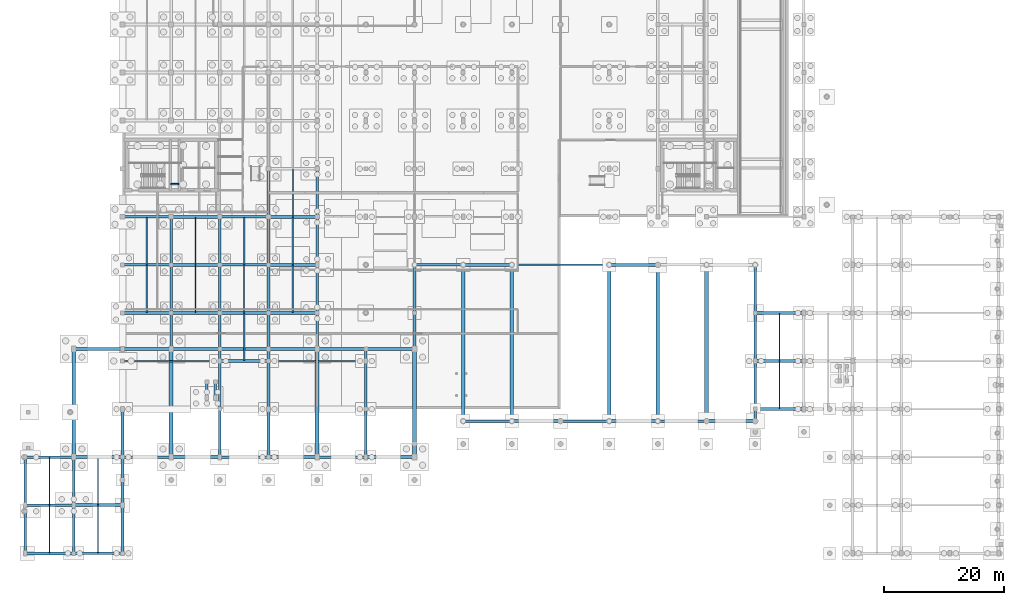
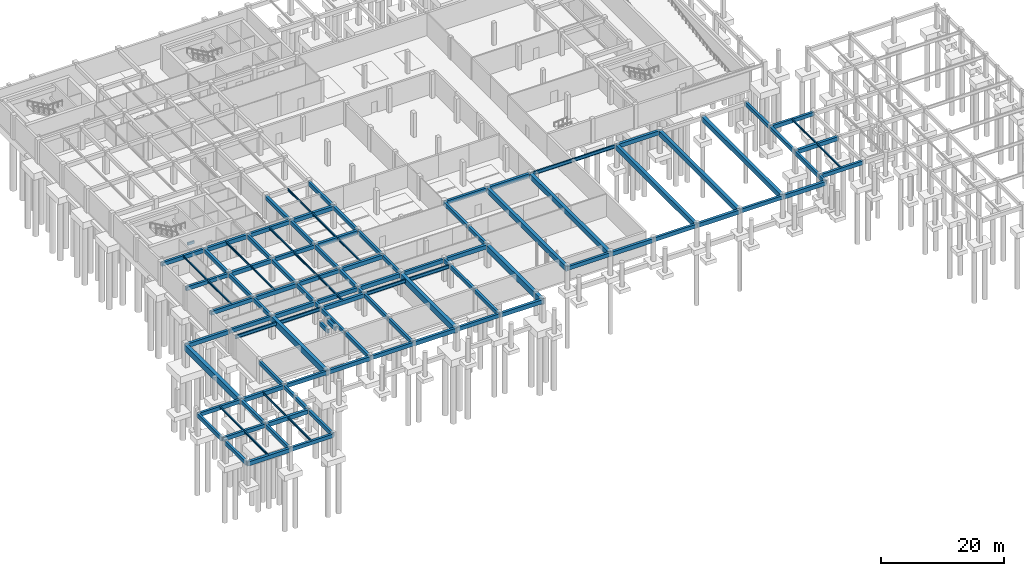
# One storey, part 11 of 25: 111 beams.
"""IFC4 building model written with IfcOpenShell, lengths in metres."""

from ifc_helpers import new_model, si_unit, direction, frame, origin, origin_2d, place, context, subcontext, project, spatial, rectangle, i_section, extrude, material, material_profile, profile_set, type_object, element, save


model = new_model("IFC4")

# Units and contexts
model_context = context("Model", 3, precision=1e-05, world=origin(), true_north=direction((0.0, 1.0)))
body_context = subcontext(model_context, "Body", "Model", "MODEL_VIEW")
ifc_project = project(units=[si_unit("LENGTHUNIT", "METRE"), si_unit("AREAUNIT", "SQUARE_METRE"), si_unit("VOLUMEUNIT", "CUBIC_METRE"), si_unit("PLANEANGLEUNIT", "RADIAN"), si_unit("MASSUNIT", "GRAM", prefix="KILO")], contexts=[model_context])

# Site, building, storey
site_placement = place(None, origin())
site = spatial("IfcSite", under=ifc_project, at=site_placement, CompositionType="ELEMENT")
building_placement = place(site_placement, origin())
building = spatial("IfcBuilding", under=site, at=building_placement, Name="Tarnveldt Square Police Headquarters", CompositionType="ELEMENT")
storey_placement = place(building_placement, frame((0.0, 0.0, -4.800048828125)))
storey = spatial("IfcBuildingStorey", under=building, at=storey_placement, Name="B1", CompositionType="ELEMENT", Elevation=-4.800048828125)

# Beams
ifc_material_1 = material(Name="Concrete 40 MPa", Category="concrete")
ifc_material_profile_1 = material_profile(ifc_material_1, rectangle(XDim=0.300048828125, YDim=0.5, at=origin_2d()), Name="RC-B300x500")
ifc_profile_set_1 = profile_set([ifc_material_profile_1], Name="Concrete 40 MPa")
beam_type_1 = type_object("IfcBeamType", Name="BM-RC300x500", PredefinedType="BEAM", material=ifc_profile_set_1)
beam_1_placement = place(storey_placement, frame((24.25, 61.449951171875, 1.949951171875), z_axis=(1.0, 0.0, 0.0), x_axis=(0.0, 1.0, 0.0)))
element("IfcBeam", 1, at=beam_1_placement, inside=storey, type_object=beam_type_1, Name="ST1 B1 Half-Landing Support Beam 2", PredefinedType="BEAM", context=body_context, shape_type="SweptSolid", body=[
    extrude(rectangle(XDim=0.300048828125, YDim=0.5, at=origin_2d()), origin(), (0.0, 0.0, 1.0), 1.300048828125),
])
ifc_material_profile_2 = material_profile(ifc_material_1, rectangle(XDim=0.449951171875, YDim=0.75, at=origin_2d()), Name="RC-B450x750")
ifc_profile_set_2 = profile_set([ifc_material_profile_2], Name="Concrete 40 MPa")
beam_type_2 = type_object("IfcBeamType", Name="BM-RC450x750", PredefinedType="BEAM", material=ifc_profile_set_2)
beam_2_placement = place(storey_placement, frame((8.10009765625, 0.0, 4.074951171875), z_axis=(1.0, 0.0, 0.0), x_axis=(0.0, 1.0, 0.0)))
element("IfcBeam", 2, at=beam_2_placement, inside=storey, type_object=beam_type_2, Name="L00 Grid Girder X-0002", PredefinedType="BEAM", context=body_context, shape_type="SweptSolid", body=[
    extrude(rectangle(XDim=0.449951171875, YDim=0.75, at=origin_2d()), origin(), (0.0, 0.0, 1.0), 8.099853515625),
])
for number, where, z_axis, x_axis, name in (
    (3, (0.0, 8.0, 4.074951171875), (1.0, 0.0, 0.0), (0.0, 1.0, 0.0), "L00 Grid Girder X-0006"),
    (4, (0.0, 16.0, 4.074951171875), (1.0, 0.0, 0.0), (0.0, 1.0, 0.0), "L00 Grid Girder X-0010"),
    (5, (16.199951171875, 16.0, 4.074951171875), (1.0, 0.0, 0.0), (0.0, 1.0, 0.0), "L00 Grid Girder X-0012"),
    (6, (32.39990234375, 16.0, 4.074951171875), (1.0, 0.0, 0.0), (0.0, 1.0, 0.0), "L00 Grid Girder X-0014"),
):
    element("IfcBeam", number, at=place(storey_placement, frame(where, z_axis=z_axis, x_axis=x_axis)), inside=storey, type_object=beam_type_2, Name=name, PredefinedType="BEAM", context=body_context, shape_type="SweptSolid", body=[
        extrude(rectangle(XDim=0.449951171875, YDim=0.75, at=origin_2d()), origin(), (0.0, 0.0, 1.0), 8.10009765625),
    ])
beam_3_placement = place(storey_placement, frame((48.60009765625, 16.0, 4.074951171875), z_axis=(1.0, 0.0, 0.0), x_axis=(0.0, 1.0, 0.0)))
element("IfcBeam", 7, at=beam_3_placement, inside=storey, type_object=beam_type_2, Name="L00 Grid Girder X-0016", PredefinedType="BEAM", context=body_context, shape_type="SweptSolid", body=[
    extrude(rectangle(XDim=0.449951171875, YDim=0.75, at=origin_2d()), origin(), (0.0, 0.0, 1.0), 8.099853515625),
])
beam_4_placement = place(storey_placement, frame((72.89990234375, 22.0, 4.074951171875), z_axis=(1.0, 0.0, 0.0), x_axis=(0.0, 1.0, 0.0)))
element("IfcBeam", 8, at=beam_4_placement, inside=storey, type_object=beam_type_2, Name="L00 Grid Girder X-0020", PredefinedType="BEAM", context=body_context, shape_type="SweptSolid", body=[
    extrude(rectangle(XDim=0.449951171875, YDim=0.75, at=origin_2d()), origin(), (0.0, 0.0, 1.0), 8.10009765625),
])
for number, where, z_axis, x_axis, name in (
    (9, (89.10009765625, 22.0, 4.074951171875), (1.0, 0.0, 0.0), (0.0, 1.0, 0.0), "L00 Grid Girder X-0022"),
    (10, (105.300048828125, 22.0, 4.074951171875), (1.0, 0.0, 0.0), (0.0, 1.0, 0.0), "L00 Grid Girder X-0024"),
):
    element("IfcBeam", number, at=place(storey_placement, frame(where, z_axis=z_axis, x_axis=x_axis)), inside=storey, type_object=beam_type_2, Name=name, PredefinedType="BEAM", context=body_context, shape_type="SweptSolid", body=[
        extrude(rectangle(XDim=0.449951171875, YDim=0.75, at=origin_2d()), origin(), (0.0, 0.0, 1.0), 8.099853515625),
    ])
for number, where, z_axis, x_axis, name in (
    (11, (121.5, 24.0, 4.074951171875), (1.0, 0.0, 0.0), (0.0, 1.0, 0.0), "L00 Grid Girder X-0026"),
    (12, (16.199951171875, 34.0, 4.074951171875), (1.0, 0.0, 0.0), (0.0, 1.0, 0.0), "L00 Grid Girder X-0038"),
    (13, (32.39990234375, 34.0, 4.074951171875), (1.0, 0.0, 0.0), (0.0, 1.0, 0.0), "L00 Grid Girder X-0040"),
):
    element("IfcBeam", number, at=place(storey_placement, frame(where, z_axis=z_axis, x_axis=x_axis)), inside=storey, type_object=beam_type_2, Name=name, PredefinedType="BEAM", context=body_context, shape_type="SweptSolid", body=[
        extrude(rectangle(XDim=0.449951171875, YDim=0.75, at=origin_2d()), origin(), (0.0, 0.0, 1.0), 8.10009765625),
    ])
beam_5_placement = place(storey_placement, frame((48.60009765625, 34.0, 4.074951171875), z_axis=(1.0, 0.0, 0.0), x_axis=(0.0, 1.0, 0.0)))
element("IfcBeam", 14, at=beam_5_placement, inside=storey, type_object=beam_type_2, Name="L00 Grid Girder X-0042", PredefinedType="BEAM", context=body_context, shape_type="SweptSolid", body=[
    extrude(rectangle(XDim=0.449951171875, YDim=0.75, at=origin_2d()), origin(), (0.0, 0.0, 1.0), 8.099853515625),
])
for number, where, z_axis, x_axis, name in (
    (15, (16.199951171875, 40.0, 4.074951171875), (1.0, 0.0, 0.0), (0.0, 1.0, 0.0), "L00 Grid Girder X-0044"),
    (16, (32.39990234375, 40.0, 4.074951171875), (1.0, 0.0, 0.0), (0.0, 1.0, 0.0), "L00 Grid Girder X-0046"),
    (17, (121.5, 40.0, 4.074951171875), (1.0, 0.0, 0.0), (0.0, 1.0, 0.0), "L00 Grid Girder X-0048"),
    (18, (16.199951171875, 48.0, 4.074951171875), (1.0, 0.0, 0.0), (0.0, 1.0, 0.0), "L00 Grid Girder X-0052"),
    (19, (32.39990234375, 48.0, 4.074951171875), (1.0, 0.0, 0.0), (0.0, 1.0, 0.0), "L00 Grid Girder X-0054"),
):
    element("IfcBeam", number, at=place(storey_placement, frame(where, z_axis=z_axis, x_axis=x_axis)), inside=storey, type_object=beam_type_2, Name=name, PredefinedType="BEAM", context=body_context, shape_type="SweptSolid", body=[
        extrude(rectangle(XDim=0.449951171875, YDim=0.75, at=origin_2d()), origin(), (0.0, 0.0, 1.0), 8.10009765625),
    ])
beam_6_placement = place(storey_placement, frame((64.800048828125, 48.0, 4.074951171875), z_axis=(1.0, 0.0, 0.0), x_axis=(0.0, 1.0, 0.0)))
element("IfcBeam", 20, at=beam_6_placement, inside=storey, type_object=beam_type_2, Name="L00 Grid Girder X-0056", PredefinedType="BEAM", context=body_context, shape_type="SweptSolid", body=[
    extrude(rectangle(XDim=0.449951171875, YDim=0.75, at=origin_2d()), origin(), (0.0, 0.0, 1.0), 8.099853515625),
])
for number, where, z_axis, x_axis, name in (
    (21, (16.199951171875, 56.0, 4.074951171875), (1.0, 0.0, 0.0), (0.0, 1.0, 0.0), "L00 Grid Girder X-0064"),
    (22, (32.39990234375, 56.0, 4.074951171875), (1.0, 0.0, 0.0), (0.0, 1.0, 0.0), "L00 Grid Girder X-0066"),
):
    element("IfcBeam", number, at=place(storey_placement, frame(where, z_axis=z_axis, x_axis=x_axis)), inside=storey, type_object=beam_type_2, Name=name, PredefinedType="BEAM", context=body_context, shape_type="SweptSolid", body=[
        extrude(rectangle(XDim=0.449951171875, YDim=0.75, at=origin_2d()), origin(), (0.0, 0.0, 1.0), 8.10009765625),
    ])
beam_7_placement = place(storey_placement, frame((0.0, 0.0, 4.074951171875), z_axis=(0.0, 1.0, 0.0), x_axis=(-1.0, 0.0, 0.0)))
element("IfcBeam", 23, at=beam_7_placement, inside=storey, type_object=beam_type_2, Name="L00 Grid Girder Y-0106", PredefinedType="BEAM", context=body_context, shape_type="SweptSolid", body=[
    extrude(rectangle(XDim=0.449951171875, YDim=0.75, at=origin_2d()), origin(), (0.0, 0.0, 1.0), 7.0),
])
for number, where, z_axis, x_axis, name in (
    (24, (0.0, 8.0, 4.074951171875), (0.0, 1.0, 0.0), (-1.0, 0.0, 0.0), "L00 Grid Girder Y-0107"),
    (25, (8.10009765625, 0.0, 4.074951171875), (0.0, 1.0, 0.0), (-1.0, 0.0, 0.0), "L00 Grid Girder Y-0108"),
    (26, (8.10009765625, 8.0, 4.074951171875), (0.0, 1.0, 0.0), (-1.0, 0.0, 0.0), "L00 Grid Girder Y-0109"),
    (27, (16.199951171875, 0.0, 4.074951171875), (0.0, 1.0, 0.0), (-1.0, 0.0, 0.0), "L00 Grid Girder Y-0111"),
    (28, (16.199951171875, 8.0, 4.074951171875), (0.0, 1.0, 0.0), (-1.0, 0.0, 0.0), "L00 Grid Girder Y-0112"),
    (29, (16.199951171875, 16.0, 4.074951171875), (0.0, 1.0, 0.0), (-1.0, 0.0, 0.0), "L00 Grid Girder Y-0113"),
):
    element("IfcBeam", number, at=place(storey_placement, frame(where, z_axis=z_axis, x_axis=x_axis)), inside=storey, type_object=beam_type_2, Name=name, PredefinedType="BEAM", context=body_context, shape_type="SweptSolid", body=[
        extrude(rectangle(XDim=0.449951171875, YDim=0.75, at=origin_2d()), origin(), (0.0, 0.0, 1.0), 8.0),
    ])
beam_8_placement = place(storey_placement, frame((24.300048828125, 34.0, 4.074951171875), z_axis=(0.0, 1.0, 0.0), x_axis=(-1.0, 0.0, 0.0)))
element("IfcBeam", 30, at=beam_8_placement, inside=storey, type_object=beam_type_2, Name="L00 Grid Girder Y-0115", PredefinedType="BEAM", context=body_context, shape_type="SweptSolid", body=[
    extrude(rectangle(XDim=0.449951171875, YDim=0.75, at=origin_2d()), origin(), (0.0, 0.0, 1.0), 6.0),
])
for number, where, z_axis, x_axis, name in (
    (31, (24.300048828125, 40.0, 4.074951171875), (0.0, 1.0, 0.0), (-1.0, 0.0, 0.0), "L00 Grid Girder Y-0116"),
    (32, (24.300048828125, 48.0, 4.074951171875), (0.0, 1.0, 0.0), (-1.0, 0.0, 0.0), "L00 Grid Girder Y-0117"),
):
    element("IfcBeam", number, at=place(storey_placement, frame(where, z_axis=z_axis, x_axis=x_axis)), inside=storey, type_object=beam_type_2, Name=name, PredefinedType="BEAM", context=body_context, shape_type="SweptSolid", body=[
        extrude(rectangle(XDim=0.449951171875, YDim=0.75, at=origin_2d()), origin(), (0.0, 0.0, 1.0), 8.0),
    ])
for number, where, z_axis, x_axis, name in (
    (33, (30.25, 25.8798828125, 4.074951171875), (0.0, 1.0, 0.0), (-1.0, 0.0, 0.0), "L00 Grid Girder Y-0121"),
    (34, (31.64990234375, 25.8798828125, 4.074951171875), (0.0, 1.0, 0.0), (-1.0, 0.0, 0.0), "L00 Grid Girder Y-0122"),
):
    element("IfcBeam", number, at=place(storey_placement, frame(where, z_axis=z_axis, x_axis=x_axis)), inside=storey, type_object=beam_type_2, Name=name, PredefinedType="BEAM", context=body_context, shape_type="SweptSolid", body=[
        extrude(rectangle(XDim=0.449951171875, YDim=0.75, at=origin_2d()), origin(), (0.0, 0.0, 1.0), 2.64013671875),
    ])
for number, where, z_axis, x_axis, name in (
    (35, (32.39990234375, 16.0, 4.074951171875), (0.0, 1.0, 0.0), (-1.0, 0.0, 0.0), "L00 Grid Girder Y-0123"),
    (36, (32.39990234375, 24.0, 4.074951171875), (0.0, 1.0, 0.0), (-1.0, 0.0, 0.0), "L00 Grid Girder Y-0124"),
):
    element("IfcBeam", number, at=place(storey_placement, frame(where, z_axis=z_axis, x_axis=x_axis)), inside=storey, type_object=beam_type_2, Name=name, PredefinedType="BEAM", context=body_context, shape_type="SweptSolid", body=[
        extrude(rectangle(XDim=0.449951171875, YDim=0.75, at=origin_2d()), origin(), (0.0, 0.0, 1.0), 8.0),
    ])
beam_9_placement = place(storey_placement, frame((32.39990234375, 32.0, 4.074951171875), z_axis=(0.0, 1.0, 0.0), x_axis=(-1.0, 0.0, 0.0)))
element("IfcBeam", 37, at=beam_9_placement, inside=storey, type_object=beam_type_2, Name="L00 Grid Girder Y-0125", PredefinedType="BEAM", context=body_context, shape_type="SweptSolid", body=[
    extrude(rectangle(XDim=0.449951171875, YDim=0.75, at=origin_2d()), origin(), (0.0, 0.0, 1.0), 2.0),
])
beam_10_placement = place(storey_placement, frame((32.39990234375, 34.0, 4.074951171875), z_axis=(0.0, 1.0, 0.0), x_axis=(-1.0, 0.0, 0.0)))
element("IfcBeam", 38, at=beam_10_placement, inside=storey, type_object=beam_type_2, Name="L00 Grid Girder Y-0126", PredefinedType="BEAM", context=body_context, shape_type="SweptSolid", body=[
    extrude(rectangle(XDim=0.449951171875, YDim=0.75, at=origin_2d()), origin(), (0.0, 0.0, 1.0), 6.0),
])
for number, where, z_axis, x_axis, name in (
    (39, (32.39990234375, 40.0, 4.074951171875), (0.0, 1.0, 0.0), (-1.0, 0.0, 0.0), "L00 Grid Girder Y-0127"),
    (40, (32.39990234375, 48.0, 4.074951171875), (0.0, 1.0, 0.0), (-1.0, 0.0, 0.0), "L00 Grid Girder Y-0128"),
    (41, (40.5, 16.0, 4.074951171875), (0.0, 1.0, 0.0), (-1.0, 0.0, 0.0), "L00 Grid Girder Y-0135"),
    (42, (40.5, 24.0, 4.074951171875), (0.0, 1.0, 0.0), (-1.0, 0.0, 0.0), "L00 Grid Girder Y-0136"),
):
    element("IfcBeam", number, at=place(storey_placement, frame(where, z_axis=z_axis, x_axis=x_axis)), inside=storey, type_object=beam_type_2, Name=name, PredefinedType="BEAM", context=body_context, shape_type="SweptSolid", body=[
        extrude(rectangle(XDim=0.449951171875, YDim=0.75, at=origin_2d()), origin(), (0.0, 0.0, 1.0), 8.0),
    ])
beam_11_placement = place(storey_placement, frame((40.5, 32.0, 4.074951171875), z_axis=(0.0, 1.0, 0.0), x_axis=(-1.0, 0.0, 0.0)))
element("IfcBeam", 43, at=beam_11_placement, inside=storey, type_object=beam_type_2, Name="L00 Grid Girder Y-0137", PredefinedType="BEAM", context=body_context, shape_type="SweptSolid", body=[
    extrude(rectangle(XDim=0.449951171875, YDim=0.75, at=origin_2d()), origin(), (0.0, 0.0, 1.0), 2.0),
])
beam_12_placement = place(storey_placement, frame((40.5, 34.0, 4.074951171875), z_axis=(0.0, 1.0, 0.0), x_axis=(-1.0, 0.0, 0.0)))
element("IfcBeam", 44, at=beam_12_placement, inside=storey, type_object=beam_type_2, Name="L00 Grid Girder Y-0138", PredefinedType="BEAM", context=body_context, shape_type="SweptSolid", body=[
    extrude(rectangle(XDim=0.449951171875, YDim=0.75, at=origin_2d()), origin(), (0.0, 0.0, 1.0), 6.0),
])
for number, where, z_axis, x_axis, name in (
    (45, (40.5, 40.0, 4.074951171875), (0.0, 1.0, 0.0), (-1.0, 0.0, 0.0), "L00 Grid Girder Y-0139"),
    (46, (40.5, 48.0, 4.074951171875), (0.0, 1.0, 0.0), (-1.0, 0.0, 0.0), "L00 Grid Girder Y-0140"),
    (47, (40.5, 56.0, 4.074951171875), (0.0, 1.0, 0.0), (-1.0, 0.0, 0.0), "L00 Grid Girder Y-0141"),
):
    element("IfcBeam", number, at=place(storey_placement, frame(where, z_axis=z_axis, x_axis=x_axis)), inside=storey, type_object=beam_type_2, Name=name, PredefinedType="BEAM", context=body_context, shape_type="SweptSolid", body=[
        extrude(rectangle(XDim=0.449951171875, YDim=0.75, at=origin_2d()), origin(), (0.0, 0.0, 1.0), 8.0),
    ])
beam_13_placement = place(storey_placement, frame((48.60009765625, 34.0, 4.074951171875), z_axis=(0.0, 1.0, 0.0), x_axis=(-1.0, 0.0, 0.0)))
element("IfcBeam", 48, at=beam_13_placement, inside=storey, type_object=beam_type_2, Name="L00 Grid Girder Y-0149", PredefinedType="BEAM", context=body_context, shape_type="SweptSolid", body=[
    extrude(rectangle(XDim=0.449951171875, YDim=0.75, at=origin_2d()), origin(), (0.0, 0.0, 1.0), 6.0),
])
for number, where, z_axis, x_axis, name in (
    (49, (48.60009765625, 40.0, 4.074951171875), (0.0, 1.0, 0.0), (-1.0, 0.0, 0.0), "L00 Grid Girder Y-0150"),
    (50, (48.60009765625, 48.0, 4.074951171875), (0.0, 1.0, 0.0), (-1.0, 0.0, 0.0), "L00 Grid Girder Y-0151"),
    (51, (48.60009765625, 56.0, 4.074951171875), (0.0, 1.0, 0.0), (-1.0, 0.0, 0.0), "L00 Grid Girder Y-0152"),
    (52, (56.699951171875, 16.0, 4.074951171875), (0.0, 1.0, 0.0), (-1.0, 0.0, 0.0), "L00 Grid Girder Y-0157"),
    (53, (56.699951171875, 24.0, 4.074951171875), (0.0, 1.0, 0.0), (-1.0, 0.0, 0.0), "L00 Grid Girder Y-0158"),
):
    element("IfcBeam", number, at=place(storey_placement, frame(where, z_axis=z_axis, x_axis=x_axis)), inside=storey, type_object=beam_type_2, Name=name, PredefinedType="BEAM", context=body_context, shape_type="SweptSolid", body=[
        extrude(rectangle(XDim=0.449951171875, YDim=0.75, at=origin_2d()), origin(), (0.0, 0.0, 1.0), 8.0),
    ])
beam_14_placement = place(storey_placement, frame((56.699951171875, 32.0, 4.074951171875), z_axis=(0.0, 1.0, 0.0), x_axis=(-1.0, 0.0, 0.0)))
element("IfcBeam", 54, at=beam_14_placement, inside=storey, type_object=beam_type_2, Name="L00 Grid Girder Y-0159", PredefinedType="BEAM", context=body_context, shape_type="SweptSolid", body=[
    extrude(rectangle(XDim=0.449951171875, YDim=0.75, at=origin_2d()), origin(), (0.0, 0.0, 1.0), 2.0),
])
beam_15_placement = place(storey_placement, frame((64.800048828125, 34.0, 4.074951171875), z_axis=(0.0, 1.0, 0.0), x_axis=(-1.0, 0.0, 0.0)))
element("IfcBeam", 55, at=beam_15_placement, inside=storey, type_object=beam_type_2, Name="L00 Grid Girder Y-0161", PredefinedType="BEAM", context=body_context, shape_type="SweptSolid", body=[
    extrude(rectangle(XDim=0.449951171875, YDim=0.75, at=origin_2d()), origin(), (0.0, 0.0, 1.0), 6.0),
])
beam_16_placement = place(storey_placement, frame((64.800048828125, 40.0, 4.074951171875), z_axis=(0.0, 1.0, 0.0), x_axis=(-1.0, 0.0, 0.0)))
element("IfcBeam", 56, at=beam_16_placement, inside=storey, type_object=beam_type_2, Name="L00 Grid Girder Y-0162", PredefinedType="BEAM", context=body_context, shape_type="SweptSolid", body=[
    extrude(rectangle(XDim=0.449951171875, YDim=0.75, at=origin_2d()), origin(), (0.0, 0.0, 1.0), 8.0),
])
beam_17_placement = place(storey_placement, frame((121.5, 22.0, 4.074951171875), z_axis=(0.0, 1.0, 0.0), x_axis=(-1.0, 0.0, 0.0)))
element("IfcBeam", 57, at=beam_17_placement, inside=storey, type_object=beam_type_2, Name="L00 Grid Girder Y-0186", PredefinedType="BEAM", context=body_context, shape_type="SweptSolid", body=[
    extrude(rectangle(XDim=0.449951171875, YDim=0.75, at=origin_2d()), origin(), (0.0, 0.0, 1.0), 2.0),
])
for number, where, z_axis, x_axis, name in (
    (58, (121.5, 24.0, 4.074951171875), (0.0, 1.0, 0.0), (-1.0, 0.0, 0.0), "L00 Grid Girder Y-0187"),
    (59, (121.5, 32.0, 4.074951171875), (0.0, 1.0, 0.0), (-1.0, 0.0, 0.0), "L00 Grid Girder Y-0188"),
    (60, (121.5, 40.0, 4.074951171875), (0.0, 1.0, 0.0), (-1.0, 0.0, 0.0), "L00 Grid Girder Y-0189"),
):
    element("IfcBeam", number, at=place(storey_placement, frame(where, z_axis=z_axis, x_axis=x_axis)), inside=storey, type_object=beam_type_2, Name=name, PredefinedType="BEAM", context=body_context, shape_type="SweptSolid", body=[
        extrude(rectangle(XDim=0.449951171875, YDim=0.75, at=origin_2d()), origin(), (0.0, 0.0, 1.0), 8.0),
    ])
ifc_material_profile_3 = material_profile(ifc_material_1, rectangle(XDim=0.5, YDim=0.800048828125, at=origin_2d()), Name="RC-B500x800")
ifc_profile_set_3 = profile_set([ifc_material_profile_3], Name="Concrete 40 MPa")
beam_type_3 = type_object("IfcBeamType", Name="BM-RC500x800", PredefinedType="BEAM", material=ifc_profile_set_3)
beam_18_placement = place(storey_placement, frame((0.0, 0.0, 4.050048828125), z_axis=(1.0, 0.0, 0.0), x_axis=(0.0, 1.0, 0.0)))
element("IfcBeam", 61, at=beam_18_placement, inside=storey, type_object=beam_type_3, Name="L00 Grid Girder X-0001", PredefinedType="BEAM", context=body_context, shape_type="SweptSolid", body=[
    extrude(rectangle(XDim=0.5, YDim=0.800048828125, at=origin_2d()), origin(), (0.0, 0.0, 1.0), 8.10009765625),
])
for number, where, z_axis, x_axis, name in (
    (62, (8.10009765625, 8.0, 4.050048828125), (1.0, 0.0, 0.0), (0.0, 1.0, 0.0), "L00 Grid Girder X-0007"),
    (63, (8.10009765625, 16.0, 4.050048828125), (1.0, 0.0, 0.0), (0.0, 1.0, 0.0), "L00 Grid Girder X-0011"),
    (64, (24.300048828125, 16.0, 4.050048828125), (1.0, 0.0, 0.0), (0.0, 1.0, 0.0), "L00 Grid Girder X-0013"),
):
    element("IfcBeam", number, at=place(storey_placement, frame(where, z_axis=z_axis, x_axis=x_axis)), inside=storey, type_object=beam_type_3, Name=name, PredefinedType="BEAM", context=body_context, shape_type="SweptSolid", body=[
        extrude(rectangle(XDim=0.5, YDim=0.800048828125, at=origin_2d()), origin(), (0.0, 0.0, 1.0), 8.099853515625),
    ])
for number, where, z_axis, x_axis, name in (
    (65, (40.5, 16.0, 4.050048828125), (1.0, 0.0, 0.0), (0.0, 1.0, 0.0), "L00 Grid Girder X-0015"),
    (66, (56.699951171875, 16.0, 4.050048828125), (1.0, 0.0, 0.0), (0.0, 1.0, 0.0), "L00 Grid Girder X-0017"),
    (67, (81.0, 22.0, 4.050048828125), (1.0, 0.0, 0.0), (0.0, 1.0, 0.0), "L00 Grid Girder X-0021"),
    (68, (97.199951171875, 22.0, 4.050048828125), (1.0, 0.0, 0.0), (0.0, 1.0, 0.0), "L00 Grid Girder X-0023"),
    (69, (113.39990234375, 22.0, 4.050048828125), (1.0, 0.0, 0.0), (0.0, 1.0, 0.0), "L00 Grid Girder X-0025"),
    (70, (32.39990234375, 32.0, 4.050048828125), (1.0, 0.0, 0.0), (0.0, 1.0, 0.0), "L00 Grid Girder X-0031"),
    (71, (121.5, 32.0, 4.050048828125), (1.0, 0.0, 0.0), (0.0, 1.0, 0.0), "L00 Grid Girder X-0033"),
):
    element("IfcBeam", number, at=place(storey_placement, frame(where, z_axis=z_axis, x_axis=x_axis)), inside=storey, type_object=beam_type_3, Name=name, PredefinedType="BEAM", context=body_context, shape_type="SweptSolid", body=[
        extrude(rectangle(XDim=0.5, YDim=0.800048828125, at=origin_2d()), origin(), (0.0, 0.0, 1.0), 8.10009765625),
    ])
for number, where, z_axis, x_axis, name in (
    (72, (8.10009765625, 34.0, 4.050048828125), (1.0, 0.0, 0.0), (0.0, 1.0, 0.0), "L00 Grid Girder X-0037"),
    (73, (24.300048828125, 34.0, 4.050048828125), (1.0, 0.0, 0.0), (0.0, 1.0, 0.0), "L00 Grid Girder X-0039"),
):
    element("IfcBeam", number, at=place(storey_placement, frame(where, z_axis=z_axis, x_axis=x_axis)), inside=storey, type_object=beam_type_3, Name=name, PredefinedType="BEAM", context=body_context, shape_type="SweptSolid", body=[
        extrude(rectangle(XDim=0.5, YDim=0.800048828125, at=origin_2d()), origin(), (0.0, 0.0, 1.0), 8.099853515625),
    ])
for number, where, z_axis, x_axis, name in (
    (74, (40.5, 34.0, 4.050048828125), (1.0, 0.0, 0.0), (0.0, 1.0, 0.0), "L00 Grid Girder X-0041"),
    (75, (56.699951171875, 34.0, 4.050048828125), (1.0, 0.0, 0.0), (0.0, 1.0, 0.0), "L00 Grid Girder X-0043"),
):
    element("IfcBeam", number, at=place(storey_placement, frame(where, z_axis=z_axis, x_axis=x_axis)), inside=storey, type_object=beam_type_3, Name=name, PredefinedType="BEAM", context=body_context, shape_type="SweptSolid", body=[
        extrude(rectangle(XDim=0.5, YDim=0.800048828125, at=origin_2d()), origin(), (0.0, 0.0, 1.0), 8.10009765625),
    ])
beam_19_placement = place(storey_placement, frame((24.300048828125, 40.0, 4.050048828125), z_axis=(1.0, 0.0, 0.0), x_axis=(0.0, 1.0, 0.0)))
element("IfcBeam", 76, at=beam_19_placement, inside=storey, type_object=beam_type_3, Name="L00 Grid Girder X-0045", PredefinedType="BEAM", context=body_context, shape_type="SweptSolid", body=[
    extrude(rectangle(XDim=0.5, YDim=0.800048828125, at=origin_2d()), origin(), (0.0, 0.0, 1.0), 8.099853515625),
])
beam_20_placement = place(storey_placement, frame((40.5, 40.0, 4.050048828125), z_axis=(1.0, 0.0, 0.0), x_axis=(0.0, 1.0, 0.0)))
element("IfcBeam", 77, at=beam_20_placement, inside=storey, type_object=beam_type_3, Name="L00 Grid Girder X-0047", PredefinedType="BEAM", context=body_context, shape_type="SweptSolid", body=[
    extrude(rectangle(XDim=0.5, YDim=0.800048828125, at=origin_2d()), origin(), (0.0, 0.0, 1.0), 8.10009765625),
])
beam_21_placement = place(storey_placement, frame((24.300048828125, 48.0, 4.050048828125), z_axis=(1.0, 0.0, 0.0), x_axis=(0.0, 1.0, 0.0)))
element("IfcBeam", 78, at=beam_21_placement, inside=storey, type_object=beam_type_3, Name="L00 Grid Girder X-0053", PredefinedType="BEAM", context=body_context, shape_type="SweptSolid", body=[
    extrude(rectangle(XDim=0.5, YDim=0.800048828125, at=origin_2d()), origin(), (0.0, 0.0, 1.0), 8.099853515625),
])
for number, where, z_axis, x_axis, name in (
    (79, (40.5, 48.0, 4.050048828125), (1.0, 0.0, 0.0), (0.0, 1.0, 0.0), "L00 Grid Girder X-0055"),
    (80, (72.89990234375, 48.0, 4.050048828125), (1.0, 0.0, 0.0), (0.0, 1.0, 0.0), "L00 Grid Girder X-0057"),
    (81, (97.199951171875, 48.0, 4.050048828125), (1.0, 0.0, 0.0), (0.0, 1.0, 0.0), "L00 Grid Girder X-0059"),
):
    element("IfcBeam", number, at=place(storey_placement, frame(where, z_axis=z_axis, x_axis=x_axis)), inside=storey, type_object=beam_type_3, Name=name, PredefinedType="BEAM", context=body_context, shape_type="SweptSolid", body=[
        extrude(rectangle(XDim=0.5, YDim=0.800048828125, at=origin_2d()), origin(), (0.0, 0.0, 1.0), 8.10009765625),
    ])
beam_22_placement = place(storey_placement, frame((24.300048828125, 56.0, 4.050048828125), z_axis=(1.0, 0.0, 0.0), x_axis=(0.0, 1.0, 0.0)))
element("IfcBeam", 82, at=beam_22_placement, inside=storey, type_object=beam_type_3, Name="L00 Grid Girder X-0065", PredefinedType="BEAM", context=body_context, shape_type="SweptSolid", body=[
    extrude(rectangle(XDim=0.5, YDim=0.800048828125, at=origin_2d()), origin(), (0.0, 0.0, 1.0), 8.099853515625),
])
beam_23_placement = place(storey_placement, frame((40.5, 56.0, 4.050048828125), z_axis=(1.0, 0.0, 0.0), x_axis=(0.0, 1.0, 0.0)))
element("IfcBeam", 83, at=beam_23_placement, inside=storey, type_object=beam_type_3, Name="L00 Grid Girder X-0067", PredefinedType="BEAM", context=body_context, shape_type="SweptSolid", body=[
    extrude(rectangle(XDim=0.5, YDim=0.800048828125, at=origin_2d()), origin(), (0.0, 0.0, 1.0), 8.10009765625),
])
ifc_material_2 = material(Name="Concrete 50 MPa", Category="concrete")
ifc_material_profile_4 = material_profile(ifc_material_2, rectangle(XDim=0.60009765625, YDim=1.0, at=origin_2d()), Name="RC-B600x1000")
ifc_profile_set_4 = profile_set([ifc_material_profile_4], Name="Concrete 50 MPa")
beam_type_4 = type_object("IfcBeamType", Name="BM-RC600x1000", PredefinedType="BEAM", material=ifc_profile_set_4)
for number, where, z_axis, x_axis, name in (
    (84, (72.89990234375, 22.0, 3.949951171875), (0.0, 1.0, 0.0), (-1.0, 0.0, 0.0), "L00 Grid Girder Y-0163"),
    (85, (81.0, 22.0, 3.949951171875), (0.0, 1.0, 0.0), (-1.0, 0.0, 0.0), "L00 Grid Girder Y-0166"),
    (86, (97.199951171875, 22.0, 3.949951171875), (0.0, 1.0, 0.0), (-1.0, 0.0, 0.0), "L00 Grid Girder Y-0171"),
    (87, (105.300048828125, 22.0, 3.949951171875), (0.0, 1.0, 0.0), (-1.0, 0.0, 0.0), "L00 Grid Girder Y-0174"),
    (88, (113.39990234375, 22.0, 3.949951171875), (0.0, 1.0, 0.0), (-1.0, 0.0, 0.0), "L00 Grid Girder Y-0182"),
):
    element("IfcBeam", number, at=place(storey_placement, frame(where, z_axis=z_axis, x_axis=x_axis)), inside=storey, type_object=beam_type_4, Name=name, PredefinedType="BEAM", context=body_context, shape_type="SweptSolid", body=[
        extrude(rectangle(XDim=0.60009765625, YDim=1.0, at=origin_2d()), origin(), (0.0, 0.0, 1.0), 26.0),
    ])
ifc_material_profile_5 = material_profile(ifc_material_2, rectangle(XDim=0.64990234375, YDim=1.199951171875, at=origin_2d()), Name="RC-B650x1200")
ifc_profile_set_5 = profile_set([ifc_material_profile_5], Name="Concrete 50 MPa")
beam_type_5 = type_object("IfcBeamType", Name="BM-RC650x1200", PredefinedType="BEAM", material=ifc_profile_set_5)
for number, where, z_axis, x_axis, name in (
    (89, (8.10009765625, 16.0, 3.85009765625), (0.0, 1.0, 0.0), (-1.0, 0.0, 0.0), "L00 Grid Girder Y-0110"),
    (90, (24.300048828125, 16.0, 3.85009765625), (0.0, 1.0, 0.0), (-1.0, 0.0, 0.0), "L00 Grid Girder Y-0114"),
    (91, (48.60009765625, 16.0, 3.85009765625), (0.0, 1.0, 0.0), (-1.0, 0.0, 0.0), "L00 Grid Girder Y-0148"),
    (92, (64.800048828125, 16.0, 3.85009765625), (0.0, 1.0, 0.0), (-1.0, 0.0, 0.0), "L00 Grid Girder Y-0160"),
):
    element("IfcBeam", number, at=place(storey_placement, frame(where, z_axis=z_axis, x_axis=x_axis)), inside=storey, type_object=beam_type_5, Name=name, PredefinedType="BEAM", context=body_context, shape_type="SweptSolid", body=[
        extrude(rectangle(XDim=0.64990234375, YDim=1.199951171875, at=origin_2d()), origin(), (0.0, 0.0, 1.0), 18.0),
    ])
ifc_material_3 = material(Name="Steel 350W", Category="steel")
ifc_material_profile_6 = material_profile(ifc_material_3, i_section(OverallWidth=0.202880859375, OverallDepth=0.302978515625, WebThickness=0.007568359375, FlangeThickness=0.01318359375, FilletRadius=0.014892578125, at=origin_2d()), Name="W310x60")
ifc_profile_set_6 = profile_set([ifc_material_profile_6], Name="Steel 350W")
beam_type_6 = type_object("IfcBeamType", Name="BM-W310x60", PredefinedType="JOIST", material=ifc_profile_set_6)
for number, where, z_axis, x_axis, name in (
    (93, (4.050048828125, 8.080078125, 4.298583984375), (0.0, 1.0, 0.0), (-1.0, 0.0, 0.0), "L00 Secondary Floor Joist 0004"),
    (94, (125.550048828125, 24.080078125, 4.298583984375), (0.0, 1.0, 0.0), (-1.0, 0.0, 0.0), "L00 Secondary Floor Joist 0008"),
    (95, (125.550048828125, 32.080078125, 4.298583984375), (0.0, 1.0, 0.0), (-1.0, 0.0, 0.0), "L00 Secondary Floor Joist 0012"),
    (96, (28.35009765625, 40.080078125, 4.298583984375), (0.0, 1.0, 0.0), (-1.0, 0.0, 0.0), "L00 Secondary Floor Joist 0016"),
    (97, (20.25, 48.080078125, 4.298583984375), (0.0, 1.0, 0.0), (-1.0, 0.0, 0.0), "L00 Secondary Floor Joist 0020"),
):
    element("IfcBeam", number, at=place(storey_placement, frame(where, z_axis=z_axis, x_axis=x_axis)), inside=storey, type_object=beam_type_6, Name=name, PredefinedType="JOIST", context=body_context, shape_type="SweptSolid", body=[
        extrude(i_section(OverallWidth=0.202880859375, OverallDepth=0.302978515625, WebThickness=0.007568359375, FlangeThickness=0.01318359375, FilletRadius=0.014892578125, at=origin_2d()), origin(), (0.0, 0.0, 1.0), 7.83984375),
    ])
ifc_material_profile_7 = material_profile(ifc_material_3, i_section(OverallWidth=0.202880859375, OverallDepth=0.346923828125, WebThickness=0.0078125, FlangeThickness=0.013427734375, FilletRadius=0.01611328125, at=origin_2d()), Name="W360x64")
ifc_profile_set_7 = profile_set([ifc_material_profile_7], Name="Steel 350W")
beam_type_7 = type_object("IfcBeamType", Name="BM-W360x64", PredefinedType="JOIST", material=ifc_profile_set_7)
for number, where, z_axis, x_axis, name in (
    (98, (36.449951171875, 32.080078125, 4.276611328125), (0.0, 1.0, 0.0), (-1.0, 0.0, 0.0), "L00 Secondary Floor Joist 0011"),
    (99, (20.25, 40.080078125, 4.276611328125), (0.0, 1.0, 0.0), (-1.0, 0.0, 0.0), "L00 Secondary Floor Joist 0015"),
    (100, (44.550048828125, 48.080078125, 4.276611328125), (0.0, 1.0, 0.0), (-1.0, 0.0, 0.0), "L00 Secondary Floor Joist 0023"),
):
    element("IfcBeam", number, at=place(storey_placement, frame(where, z_axis=z_axis, x_axis=x_axis)), inside=storey, type_object=beam_type_7, Name=name, PredefinedType="JOIST", context=body_context, shape_type="SweptSolid", body=[
        extrude(i_section(OverallWidth=0.202880859375, OverallDepth=0.346923828125, WebThickness=0.0078125, FlangeThickness=0.013427734375, FilletRadius=0.01611328125, at=origin_2d()), origin(), (0.0, 0.0, 1.0), 7.83984375),
    ])
ifc_material_profile_8 = material_profile(ifc_material_3, i_section(OverallWidth=0.205078125, OverallDepth=0.35400390625, WebThickness=0.009521484375, FlangeThickness=0.016845703125, FilletRadius=0.01611328125, at=origin_2d()), Name="W360x79")
ifc_profile_set_8 = profile_set([ifc_material_profile_8], Name="Steel 350W")
beam_type_8 = type_object("IfcBeamType", Name="BM-W360x79", PredefinedType="JOIST", material=ifc_profile_set_8)
for number, where, z_axis, x_axis, name in (
    (101, (12.14990234375, 0.080078125, 4.27294921875), (0.0, 1.0, 0.0), (-1.0, 0.0, 0.0), "L00 Secondary Floor Joist 0002"),
    (102, (44.550048828125, 40.080078125, 4.27294921875), (0.0, 1.0, 0.0), (-1.0, 0.0, 0.0), "L00 Secondary Floor Joist 0018"),
    (103, (36.449951171875, 48.080078125, 4.27294921875), (0.0, 1.0, 0.0), (-1.0, 0.0, 0.0), "L00 Secondary Floor Joist 0022"),
):
    element("IfcBeam", number, at=place(storey_placement, frame(where, z_axis=z_axis, x_axis=x_axis)), inside=storey, type_object=beam_type_8, Name=name, PredefinedType="JOIST", context=body_context, shape_type="SweptSolid", body=[
        extrude(i_section(OverallWidth=0.205078125, OverallDepth=0.35400390625, WebThickness=0.009521484375, FlangeThickness=0.016845703125, FilletRadius=0.01611328125, at=origin_2d()), origin(), (0.0, 0.0, 1.0), 7.83984375),
    ])
ifc_material_profile_9 = material_profile(ifc_material_3, i_section(OverallWidth=0.177978515625, OverallDepth=0.406982421875, WebThickness=0.0078125, FlangeThickness=0.0126953125, FilletRadius=0.01611328125, at=origin_2d()), Name="W410x60")
ifc_profile_set_9 = profile_set([ifc_material_profile_9], Name="Steel 350W")
beam_type_9 = type_object("IfcBeamType", Name="BM-W410x60", PredefinedType="JOIST", material=ifc_profile_set_9)
for number, where, z_axis, x_axis, name in (
    (104, (4.050048828125, 0.080078125, 4.24658203125), (0.0, 1.0, 0.0), (-1.0, 0.0, 0.0), "L00 Secondary Floor Joist 0001"),
    (105, (12.14990234375, 8.080078125, 4.24658203125), (0.0, 1.0, 0.0), (-1.0, 0.0, 0.0), "L00 Secondary Floor Joist 0005"),
    (106, (36.449951171875, 40.080078125, 4.24658203125), (0.0, 1.0, 0.0), (-1.0, 0.0, 0.0), "L00 Secondary Floor Joist 0017"),
    (107, (28.35009765625, 48.080078125, 4.24658203125), (0.0, 1.0, 0.0), (-1.0, 0.0, 0.0), "L00 Secondary Floor Joist 0021"),
    (108, (44.550048828125, 56.080078125, 4.24658203125), (0.0, 1.0, 0.0), (-1.0, 0.0, 0.0), "L00 Secondary Floor Joist 0025"),
):
    element("IfcBeam", number, at=place(storey_placement, frame(where, z_axis=z_axis, x_axis=x_axis)), inside=storey, type_object=beam_type_9, Name=name, PredefinedType="JOIST", context=body_context, shape_type="SweptSolid", body=[
        extrude(i_section(OverallWidth=0.177978515625, OverallDepth=0.406982421875, WebThickness=0.0078125, FlangeThickness=0.0126953125, FilletRadius=0.01611328125, at=origin_2d()), origin(), (0.0, 0.0, 1.0), 7.83984375),
    ])
ifc_material_profile_10 = material_profile(ifc_material_3, i_section(OverallWidth=0.25390625, OverallDepth=0.68798828125, WebThickness=0.01318359375, FlangeThickness=0.02099609375, FilletRadius=0.02001953125, at=origin_2d()), Name="W690x152")
ifc_profile_set_10 = profile_set([ifc_material_profile_10], Name="Steel 350W")
beam_type_10 = type_object("IfcBeamType", Name="BM-W690x152", PredefinedType="BEAM", material=ifc_profile_set_10)
for number, where, z_axis, x_axis, name in (
    (109, (16.199951171875, 32.0, 4.10595703125), (1.0, 0.0, 0.0), (0.0, 1.0, 0.0), "L00 Grid Girder X-0030"),
    (110, (40.5, 32.0, 4.10595703125), (1.0, 0.0, 0.0), (0.0, 1.0, 0.0), "L00 Grid Girder X-0032"),
    (111, (81.0, 48.0, 4.10595703125), (1.0, 0.0, 0.0), (0.0, 1.0, 0.0), "L00 Grid Girder X-0058"),
):
    element("IfcBeam", number, at=place(storey_placement, frame(where, z_axis=z_axis, x_axis=x_axis)), inside=storey, type_object=beam_type_10, Name=name, PredefinedType="BEAM", context=body_context, shape_type="SweptSolid", body=[
        extrude(i_section(OverallWidth=0.25390625, OverallDepth=0.68798828125, WebThickness=0.01318359375, FlangeThickness=0.02099609375, FilletRadius=0.02001953125, at=origin_2d()), origin(), (0.0, 0.0, 1.0), 16.199951171875),
    ])

save(model, "model.ifc")
